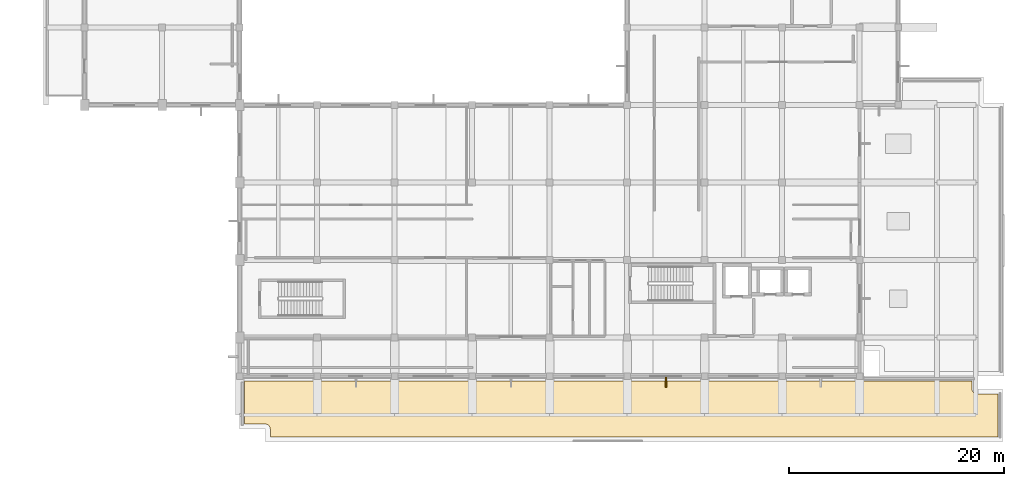
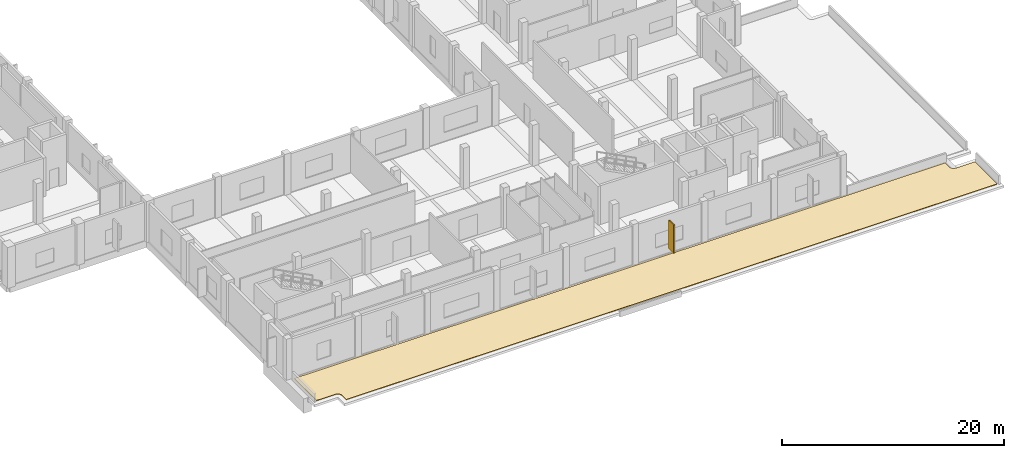
# One storey, part 12 of 16: 1 covering, 1 shading device.
"""IFC4 building model written with IfcOpenShell, lengths in metres."""

from ifc_helpers import new_model, si_unit, direction, frame, origin, origin_2d, place, context, subcontext, project, spatial, polyline, rectangle, outline, extrude, material, layer, layer_set, type_object, element, save


model = new_model("IFC4")

# Units and contexts
model_context = context("Model", 3, precision=1e-05, world=origin(), true_north=direction((0.0, 1.0)))
body_context = subcontext(model_context, "Body", "Model", "MODEL_VIEW")
ifc_project = project(units=[si_unit("LENGTHUNIT", "METRE"), si_unit("AREAUNIT", "SQUARE_METRE"), si_unit("VOLUMEUNIT", "CUBIC_METRE"), si_unit("PLANEANGLEUNIT", "RADIAN"), si_unit("MASSUNIT", "GRAM", prefix="KILO")], contexts=[model_context])

# Site, building, storey
site_placement = place(None, origin())
site = spatial("IfcSite", under=ifc_project, at=site_placement, CompositionType="ELEMENT")
building_placement = place(site_placement, origin())
building = spatial("IfcBuilding", under=site, at=building_placement, Name="Seraya Terrace Polytechnic", CompositionType="ELEMENT")
storey_placement = place(building_placement, frame((0.0, 0.0, 23.39990234375)))
storey = spatial("IfcBuildingStorey", under=building, at=storey_placement, Name="L05", CompositionType="ELEMENT", Elevation=23.39990234375)

# Shading device
ifc_material_1 = material(Name="Precast concrete C40/50", Category="concrete")
shading_device_type = type_object("IfcShadingDeviceType", Name="BS-F1", PredefinedType="JALOUSIE", material=ifc_material_1)
shading_device_placement = place(storey_placement, frame((82.800048828125, 3.0400390625, 0.449951171875), z_axis=(0.0, 0.0, 1.0), x_axis=(0.0, -1.0, 0.0)))
element("IfcShadingDevice", 1, at=shading_device_placement, inside=storey, type_object=shading_device_type, Name="Precast concrete brise-soleil fin L05", PredefinedType="JALOUSIE", context=body_context, shape_type="SweptSolid", body=[
    extrude(rectangle(XDim=0.89990234375, YDim=0.14990234375, at=origin_2d()), origin(), (0.0, 0.0, 1.0), 3.10009765625),
])

# Covering
ifc_material_2 = material(Name="Insulated TPO waterproof roofing membrane")
ifc_layer = layer(ifc_material_2, 0.06005859375, Name="RF-C1")
ifc_layer_set = layer_set([ifc_layer], Name="Insulated TPO waterproof roofing membrane")
covering_type = type_object("IfcCoveringType", Name="RF-C1", PredefinedType="ROOFING", material=ifc_layer_set)
covering_placement = place(storey_placement, origin())
element("IfcCovering", 2, at=covering_placement, inside=storey, type_object=covering_type, Name="Waterproof TPO roof covering ROOF-L05-SOUTH", PredefinedType="ROOFING", context=body_context, shape_type="SweptSolid", body=[
    extrude(outline(polyline([(46.050048828125, -1.300048828125), (46.015625, -1.127685546875), (45.947998046875, -1.014404296875), (45.81201171875, -0.903076171875), (45.687744140625, -0.858642578125), (43.64990234375, -0.85009765625), (43.64990234375, 3.14990234375), (111.25, 3.14990234375), (111.258544921875, 2.312255859375), (111.32568359375, 2.14990234375), (111.41455078125, 2.052001953125), (111.48779296875, 2.003173828125), (111.5693359375, 1.969482421875), (111.699951171875, 1.949951171875), (113.64990234375, 1.949951171875), (113.64990234375, -2.050048828125), (46.050048828125, -2.050048828125), (46.050048828125, -1.300048828125)])), origin(), (0.0, 0.0, 1.0), 0.06005859375),
])

save(model, "model.ifc")
